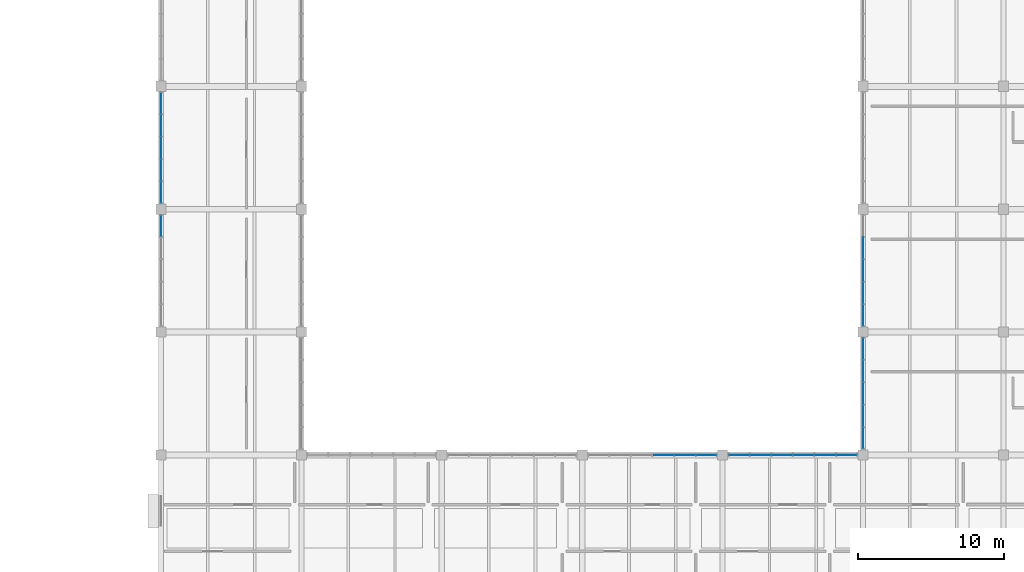
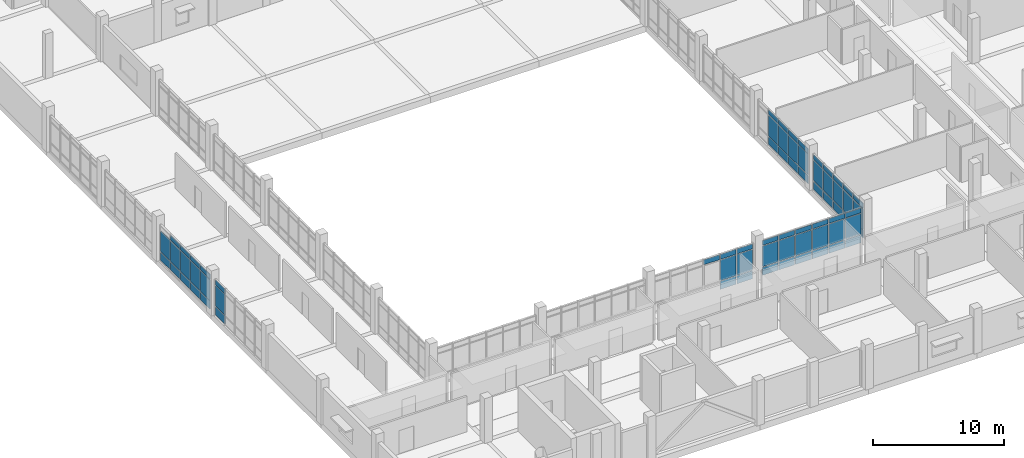
# One storey, part 27 of 57: 69 plates, 6 elements without a shape of their own.
"""IFC4 building model written with IfcOpenShell, lengths in metres."""

from ifc_helpers import new_model, si_unit, direction, frame, origin, origin_2d, place, context, subcontext, project, spatial, rectangle, extrude, material, layer, layer_set, type_object, element, aggregate, save


model = new_model("IFC4")

# Units and contexts
model_context = context("Model", 3, precision=1e-05, world=origin(), true_north=direction((0.0, 1.0)))
body_context = subcontext(model_context, "Body", "Model", "MODEL_VIEW")
ifc_project = project(units=[si_unit("LENGTHUNIT", "METRE"), si_unit("AREAUNIT", "SQUARE_METRE"), si_unit("VOLUMEUNIT", "CUBIC_METRE"), si_unit("PLANEANGLEUNIT", "RADIAN"), si_unit("MASSUNIT", "GRAM", prefix="KILO")], contexts=[model_context])

# Site, building, storey
site_placement = place(None, origin())
site = spatial("IfcSite", under=ifc_project, at=site_placement, CompositionType="ELEMENT")
building_placement = place(site_placement, origin())
building = spatial("IfcBuilding", under=site, at=building_placement, Name="Oolite Switchyard Hospital", CompositionType="ELEMENT")
storey_placement = place(building_placement, frame((0.0, 0.0, 17.800048828125)))
storey = spatial("IfcBuildingStorey", under=building, at=storey_placement, Name="L04", CompositionType="ELEMENT", Elevation=17.800048828125)

# Curtain wall, plates
ifc_material_1 = material(Name="Thermally broken aluminum frame with laminated impact glazing", Category="aluminium")
curtain_wall_type_1 = type_object("IfcCurtainWallType", Name="CW-UNIT-96X42", PredefinedType="USERDEFINED", material=ifc_material_1)
curtain_wall_1_placement = place(storey_placement, origin())
curtain_wall_1 = element("IfcCurtainWall", 1, at=curtain_wall_1_placement, inside=storey, type_object=curtain_wall_type_1, Name="L04 Unitised Curtain Wall 361", ObjectType="UNITISED", PredefinedType="USERDEFINED")
ifc_material_2 = material(Name="Insulated fluoropolymer-coated aluminum spandrel panel", Category="aluminium")
ifc_layer_1 = layer(ifc_material_2, 0.054931640625)
ifc_layer_set_1 = layer_set([ifc_layer_1], Name="CW-PNL-SPN55")
plate_type_1 = type_object("IfcPlateType", Name="CW-PNL-SPN55", PredefinedType="CURTAIN_PANEL", material=ifc_layer_set_1)
plate_1_placement = place(storey_placement, frame((173.9228515625, 25.199951171875, 0.07470703125), z_axis=(0.0, 0.0, 1.0), x_axis=(1.0, 0.0, 0.0)))
plate_1 = element("IfcPlate", 2, at=plate_1_placement, type_object=plate_type_1, Name="CW-05 panel 1.1", PredefinedType="CURTAIN_PANEL", context=body_context, shape_type="SweptSolid", body=[
    extrude(rectangle(XDim=1.36572265625, YDim=0.054931640625, at=origin_2d()), origin(), (0.0, 0.0, 1.0), 0.737548828125),
])
plate_2_placement = place(storey_placement, frame((173.9228515625, 25.199951171875, 0.887451171875), z_axis=(0.0, 0.0, 1.0), x_axis=(1.0, 0.0, 0.0)))
plate_2 = element("IfcPlate", 3, at=plate_2_placement, type_object=plate_type_1, Name="CW-05 panel 1.2", PredefinedType="CURTAIN_PANEL", context=body_context, shape_type="SweptSolid", body=[
    extrude(rectangle(XDim=1.36572265625, YDim=0.054931640625, at=origin_2d()), origin(), (0.0, 0.0, 1.0), 1.9150390625),
])
plate_3_placement = place(storey_placement, frame((173.9228515625, 25.199951171875, 2.87744140625), z_axis=(0.0, 0.0, 1.0), x_axis=(1.0, 0.0, 0.0)))
plate_3 = element("IfcPlate", 4, at=plate_3_placement, type_object=plate_type_1, Name="CW-05 panel 1.3", PredefinedType="CURTAIN_PANEL", context=body_context, shape_type="SweptSolid", body=[
    extrude(rectangle(XDim=1.36572265625, YDim=0.054931640625, at=origin_2d()), origin(), (0.0, 0.0, 1.0), 0.4375),
])
plate_4_placement = place(storey_placement, frame((175.382568359375, 25.199951171875, 0.07470703125), z_axis=(0.0, 0.0, 1.0), x_axis=(1.0, 0.0, 0.0)))
plate_4 = element("IfcPlate", 5, at=plate_4_placement, type_object=plate_type_1, Name="CW-05 panel 2.1", PredefinedType="CURTAIN_PANEL", context=body_context, shape_type="SweptSolid", body=[
    extrude(rectangle(XDim=1.4033203125, YDim=0.054931640625, at=origin_2d()), origin(), (0.0, 0.0, 1.0), 0.737548828125),
])
plate_5_placement = place(storey_placement, frame((175.382568359375, 25.199951171875, 0.887451171875), z_axis=(0.0, 0.0, 1.0), x_axis=(1.0, 0.0, 0.0)))
plate_5 = element("IfcPlate", 6, at=plate_5_placement, type_object=plate_type_1, Name="CW-05 panel 2.2", PredefinedType="CURTAIN_PANEL", context=body_context, shape_type="SweptSolid", body=[
    extrude(rectangle(XDim=1.4033203125, YDim=0.054931640625, at=origin_2d()), origin(), (0.0, 0.0, 1.0), 1.9150390625),
])
plate_6_placement = place(storey_placement, frame((175.382568359375, 25.199951171875, 2.87744140625), z_axis=(0.0, 0.0, 1.0), x_axis=(1.0, 0.0, 0.0)))
plate_6 = element("IfcPlate", 7, at=plate_6_placement, type_object=plate_type_1, Name="CW-05 panel 2.3", PredefinedType="CURTAIN_PANEL", context=body_context, shape_type="SweptSolid", body=[
    extrude(rectangle(XDim=1.4033203125, YDim=0.054931640625, at=origin_2d()), origin(), (0.0, 0.0, 1.0), 0.4375),
])
plate_7_placement = place(storey_placement, frame((176.86083984375, 25.199951171875, 0.07470703125), z_axis=(0.0, 0.0, 1.0), x_axis=(1.0, 0.0, 0.0)))
plate_7 = element("IfcPlate", 8, at=plate_7_placement, type_object=plate_type_1, Name="CW-05 panel 3.1", PredefinedType="CURTAIN_PANEL", context=body_context, shape_type="SweptSolid", body=[
    extrude(rectangle(XDim=1.4033203125, YDim=0.054931640625, at=origin_2d()), origin(), (0.0, 0.0, 1.0), 0.737548828125),
])
plate_8_placement = place(storey_placement, frame((176.86083984375, 25.199951171875, 0.887451171875), z_axis=(0.0, 0.0, 1.0), x_axis=(1.0, 0.0, 0.0)))
plate_8 = element("IfcPlate", 9, at=plate_8_placement, type_object=plate_type_1, Name="CW-05 panel 3.2", PredefinedType="CURTAIN_PANEL", context=body_context, shape_type="SweptSolid", body=[
    extrude(rectangle(XDim=1.4033203125, YDim=0.054931640625, at=origin_2d()), origin(), (0.0, 0.0, 1.0), 1.9150390625),
])
plate_9_placement = place(storey_placement, frame((176.86083984375, 25.199951171875, 2.87744140625), z_axis=(0.0, 0.0, 1.0), x_axis=(1.0, 0.0, 0.0)))
plate_9 = element("IfcPlate", 10, at=plate_9_placement, type_object=plate_type_1, Name="CW-05 panel 3.3", PredefinedType="CURTAIN_PANEL", context=body_context, shape_type="SweptSolid", body=[
    extrude(rectangle(XDim=1.4033203125, YDim=0.054931640625, at=origin_2d()), origin(), (0.0, 0.0, 1.0), 0.4375),
])
plate_10_placement = place(storey_placement, frame((178.339111328125, 25.199951171875, 0.07470703125), z_axis=(0.0, 0.0, 1.0), x_axis=(1.0, 0.0, 0.0)))
plate_10 = element("IfcPlate", 11, at=plate_10_placement, type_object=plate_type_1, Name="CW-05 panel 4.1", PredefinedType="CURTAIN_PANEL", context=body_context, shape_type="SweptSolid", body=[
    extrude(rectangle(XDim=1.4033203125, YDim=0.054931640625, at=origin_2d()), origin(), (0.0, 0.0, 1.0), 0.737548828125),
])
plate_11_placement = place(storey_placement, frame((178.339111328125, 25.199951171875, 0.887451171875), z_axis=(0.0, 0.0, 1.0), x_axis=(1.0, 0.0, 0.0)))
plate_11 = element("IfcPlate", 12, at=plate_11_placement, type_object=plate_type_1, Name="CW-05 panel 4.2", PredefinedType="CURTAIN_PANEL", context=body_context, shape_type="SweptSolid", body=[
    extrude(rectangle(XDim=1.4033203125, YDim=0.054931640625, at=origin_2d()), origin(), (0.0, 0.0, 1.0), 1.9150390625),
])
plate_12_placement = place(storey_placement, frame((178.339111328125, 25.199951171875, 2.87744140625), z_axis=(0.0, 0.0, 1.0), x_axis=(1.0, 0.0, 0.0)))
plate_12 = element("IfcPlate", 13, at=plate_12_placement, type_object=plate_type_1, Name="CW-05 panel 4.3", PredefinedType="CURTAIN_PANEL", context=body_context, shape_type="SweptSolid", body=[
    extrude(rectangle(XDim=1.4033203125, YDim=0.054931640625, at=origin_2d()), origin(), (0.0, 0.0, 1.0), 0.4375),
])
plate_13_placement = place(storey_placement, frame((179.8173828125, 25.199951171875, 0.07470703125), z_axis=(0.0, 0.0, 1.0), x_axis=(1.0, 0.0, 0.0)))
plate_13 = element("IfcPlate", 14, at=plate_13_placement, type_object=plate_type_1, Name="CW-05 panel 5.1", PredefinedType="CURTAIN_PANEL", context=body_context, shape_type="SweptSolid", body=[
    extrude(rectangle(XDim=1.4033203125, YDim=0.054931640625, at=origin_2d()), origin(), (0.0, 0.0, 1.0), 0.737548828125),
])
plate_14_placement = place(storey_placement, frame((179.8173828125, 25.199951171875, 0.887451171875), z_axis=(0.0, 0.0, 1.0), x_axis=(1.0, 0.0, 0.0)))
plate_14 = element("IfcPlate", 15, at=plate_14_placement, type_object=plate_type_1, Name="CW-05 panel 5.2", PredefinedType="CURTAIN_PANEL", context=body_context, shape_type="SweptSolid", body=[
    extrude(rectangle(XDim=1.4033203125, YDim=0.054931640625, at=origin_2d()), origin(), (0.0, 0.0, 1.0), 1.9150390625),
])
plate_15_placement = place(storey_placement, frame((179.8173828125, 25.199951171875, 2.87744140625), z_axis=(0.0, 0.0, 1.0), x_axis=(1.0, 0.0, 0.0)))
plate_15 = element("IfcPlate", 16, at=plate_15_placement, type_object=plate_type_1, Name="CW-05 panel 5.3", PredefinedType="CURTAIN_PANEL", context=body_context, shape_type="SweptSolid", body=[
    extrude(rectangle(XDim=1.4033203125, YDim=0.054931640625, at=origin_2d()), origin(), (0.0, 0.0, 1.0), 0.4375),
])
plate_16_placement = place(storey_placement, frame((181.277099609375, 25.199951171875, 0.07470703125), z_axis=(0.0, 0.0, 1.0), x_axis=(1.0, 0.0, 0.0)))
plate_16 = element("IfcPlate", 17, at=plate_16_placement, type_object=plate_type_1, Name="CW-05 panel 6.1", PredefinedType="CURTAIN_PANEL", context=body_context, shape_type="SweptSolid", body=[
    extrude(rectangle(XDim=1.36572265625, YDim=0.054931640625, at=origin_2d()), origin(), (0.0, 0.0, 1.0), 0.737548828125),
])
plate_17_placement = place(storey_placement, frame((181.277099609375, 25.199951171875, 0.887451171875), z_axis=(0.0, 0.0, 1.0), x_axis=(1.0, 0.0, 0.0)))
plate_17 = element("IfcPlate", 18, at=plate_17_placement, type_object=plate_type_1, Name="CW-05 panel 6.2", PredefinedType="CURTAIN_PANEL", context=body_context, shape_type="SweptSolid", body=[
    extrude(rectangle(XDim=1.36572265625, YDim=0.054931640625, at=origin_2d()), origin(), (0.0, 0.0, 1.0), 1.9150390625),
])
plate_18_placement = place(storey_placement, frame((181.277099609375, 25.199951171875, 2.87744140625), z_axis=(0.0, 0.0, 1.0), x_axis=(1.0, 0.0, 0.0)))
plate_18 = element("IfcPlate", 19, at=plate_18_placement, type_object=plate_type_1, Name="CW-05 panel 6.3", PredefinedType="CURTAIN_PANEL", context=body_context, shape_type="SweptSolid", body=[
    extrude(rectangle(XDim=1.36572265625, YDim=0.054931640625, at=origin_2d()), origin(), (0.0, 0.0, 1.0), 0.4375),
])
aggregate(curtain_wall_1, [plate_1, plate_2, plate_3, plate_4, plate_5, plate_6, plate_7, plate_8, plate_9, plate_10, plate_11, plate_12, plate_13, plate_14, plate_15, plate_16, plate_17, plate_18])

curtain_wall_type_2 = type_object("IfcCurtainWallType", Name="CW-UNIT-84X42", PredefinedType="USERDEFINED", material=ifc_material_1)
curtain_wall_2_placement = place(storey_placement, origin())
curtain_wall_2 = element("IfcCurtainWall", 20, at=curtain_wall_2_placement, inside=storey, type_object=curtain_wall_type_2, Name="L04 Unitised Curtain Wall 365", ObjectType="UNITISED", PredefinedType="USERDEFINED")
plate_19_placement = place(storey_placement, frame((134.39990234375, 43.14697265625, 0.07470703125), z_axis=(0.0, 0.0, 1.0), x_axis=(0.0, 1.0, 0.0)))
plate_19 = element("IfcPlate", 21, at=plate_19_placement, type_object=plate_type_1, Name="CW-10 panel 1.1", PredefinedType="CURTAIN_PANEL", context=body_context, shape_type="SweptSolid", body=[
    extrude(rectangle(XDim=1.444091796875, YDim=0.054931640625, at=origin_2d()), origin(), (0.0, 0.0, 1.0), 0.737548828125),
])
plate_20_placement = place(storey_placement, frame((134.39990234375, 43.14697265625, 0.887451171875), z_axis=(0.0, 0.0, 1.0), x_axis=(0.0, 1.0, 0.0)))
plate_20 = element("IfcPlate", 22, at=plate_20_placement, type_object=plate_type_1, Name="CW-10 panel 1.2", PredefinedType="CURTAIN_PANEL", context=body_context, shape_type="SweptSolid", body=[
    extrude(rectangle(XDim=1.444091796875, YDim=0.054931640625, at=origin_2d()), origin(), (0.0, 0.0, 1.0), 1.9150390625),
])
plate_21_placement = place(storey_placement, frame((134.39990234375, 43.14697265625, 2.87744140625), z_axis=(0.0, 0.0, 1.0), x_axis=(0.0, 1.0, 0.0)))
plate_21 = element("IfcPlate", 23, at=plate_21_placement, type_object=plate_type_1, Name="CW-10 panel 1.3", PredefinedType="CURTAIN_PANEL", context=body_context, shape_type="SweptSolid", body=[
    extrude(rectangle(XDim=1.444091796875, YDim=0.054931640625, at=origin_2d()), origin(), (0.0, 0.0, 1.0), 0.4375),
])
plate_22_placement = place(storey_placement, frame((134.39990234375, 44.666015625, 0.07470703125), z_axis=(0.0, 0.0, 1.0), x_axis=(0.0, 1.0, 0.0)))
plate_22 = element("IfcPlate", 24, at=plate_22_placement, type_object=plate_type_1, Name="CW-10 panel 2.1", PredefinedType="CURTAIN_PANEL", context=body_context, shape_type="SweptSolid", body=[
    extrude(rectangle(XDim=1.47412109375, YDim=0.054931640625, at=origin_2d()), origin(), (0.0, 0.0, 1.0), 0.737548828125),
])
plate_23_placement = place(storey_placement, frame((134.39990234375, 44.666015625, 0.887451171875), z_axis=(0.0, 0.0, 1.0), x_axis=(0.0, 1.0, 0.0)))
plate_23 = element("IfcPlate", 25, at=plate_23_placement, type_object=plate_type_1, Name="CW-10 panel 2.2", PredefinedType="CURTAIN_PANEL", context=body_context, shape_type="SweptSolid", body=[
    extrude(rectangle(XDim=1.47412109375, YDim=0.054931640625, at=origin_2d()), origin(), (0.0, 0.0, 1.0), 1.9150390625),
])
plate_24_placement = place(storey_placement, frame((134.39990234375, 44.666015625, 2.87744140625), z_axis=(0.0, 0.0, 1.0), x_axis=(0.0, 1.0, 0.0)))
plate_24 = element("IfcPlate", 26, at=plate_24_placement, type_object=plate_type_1, Name="CW-10 panel 2.3", PredefinedType="CURTAIN_PANEL", context=body_context, shape_type="SweptSolid", body=[
    extrude(rectangle(XDim=1.47412109375, YDim=0.054931640625, at=origin_2d()), origin(), (0.0, 0.0, 1.0), 0.4375),
])
plate_25_placement = place(storey_placement, frame((134.39990234375, 46.199951171875, 0.07470703125), z_axis=(0.0, 0.0, 1.0), x_axis=(0.0, 1.0, 0.0)))
plate_25 = element("IfcPlate", 27, at=plate_25_placement, type_object=plate_type_1, Name="CW-10 panel 3.1", PredefinedType="CURTAIN_PANEL", context=body_context, shape_type="SweptSolid", body=[
    extrude(rectangle(XDim=1.47412109375, YDim=0.054931640625, at=origin_2d()), origin(), (0.0, 0.0, 1.0), 0.737548828125),
])
plate_26_placement = place(storey_placement, frame((134.39990234375, 46.199951171875, 0.887451171875), z_axis=(0.0, 0.0, 1.0), x_axis=(0.0, 1.0, 0.0)))
plate_26 = element("IfcPlate", 28, at=plate_26_placement, type_object=plate_type_1, Name="CW-10 panel 3.2", PredefinedType="CURTAIN_PANEL", context=body_context, shape_type="SweptSolid", body=[
    extrude(rectangle(XDim=1.47412109375, YDim=0.054931640625, at=origin_2d()), origin(), (0.0, 0.0, 1.0), 1.9150390625),
])
plate_27_placement = place(storey_placement, frame((134.39990234375, 46.199951171875, 2.87744140625), z_axis=(0.0, 0.0, 1.0), x_axis=(0.0, 1.0, 0.0)))
plate_27 = element("IfcPlate", 29, at=plate_27_placement, type_object=plate_type_1, Name="CW-10 panel 3.3", PredefinedType="CURTAIN_PANEL", context=body_context, shape_type="SweptSolid", body=[
    extrude(rectangle(XDim=1.47412109375, YDim=0.054931640625, at=origin_2d()), origin(), (0.0, 0.0, 1.0), 0.4375),
])
plate_28_placement = place(storey_placement, frame((134.39990234375, 47.73388671875, 0.07470703125), z_axis=(0.0, 0.0, 1.0), x_axis=(0.0, 1.0, 0.0)))
plate_28 = element("IfcPlate", 30, at=plate_28_placement, type_object=plate_type_1, Name="CW-10 panel 4.1", PredefinedType="CURTAIN_PANEL", context=body_context, shape_type="SweptSolid", body=[
    extrude(rectangle(XDim=1.47412109375, YDim=0.054931640625, at=origin_2d()), origin(), (0.0, 0.0, 1.0), 0.737548828125),
])
plate_29_placement = place(storey_placement, frame((134.39990234375, 47.73388671875, 0.887451171875), z_axis=(0.0, 0.0, 1.0), x_axis=(0.0, 1.0, 0.0)))
plate_29 = element("IfcPlate", 31, at=plate_29_placement, type_object=plate_type_1, Name="CW-10 panel 4.2", PredefinedType="CURTAIN_PANEL", context=body_context, shape_type="SweptSolid", body=[
    extrude(rectangle(XDim=1.47412109375, YDim=0.054931640625, at=origin_2d()), origin(), (0.0, 0.0, 1.0), 1.9150390625),
])
plate_30_placement = place(storey_placement, frame((134.39990234375, 47.73388671875, 2.87744140625), z_axis=(0.0, 0.0, 1.0), x_axis=(0.0, 1.0, 0.0)))
plate_30 = element("IfcPlate", 32, at=plate_30_placement, type_object=plate_type_1, Name="CW-10 panel 4.3", PredefinedType="CURTAIN_PANEL", context=body_context, shape_type="SweptSolid", body=[
    extrude(rectangle(XDim=1.47412109375, YDim=0.054931640625, at=origin_2d()), origin(), (0.0, 0.0, 1.0), 0.4375),
])
plate_31_placement = place(storey_placement, frame((134.39990234375, 49.2529296875, 0.07470703125), z_axis=(0.0, 0.0, 1.0), x_axis=(0.0, 1.0, 0.0)))
plate_31 = element("IfcPlate", 33, at=plate_31_placement, type_object=plate_type_1, Name="CW-10 panel 5.1", PredefinedType="CURTAIN_PANEL", context=body_context, shape_type="SweptSolid", body=[
    extrude(rectangle(XDim=1.444091796875, YDim=0.054931640625, at=origin_2d()), origin(), (0.0, 0.0, 1.0), 0.737548828125),
])
plate_32_placement = place(storey_placement, frame((134.39990234375, 49.2529296875, 0.887451171875), z_axis=(0.0, 0.0, 1.0), x_axis=(0.0, 1.0, 0.0)))
plate_32 = element("IfcPlate", 34, at=plate_32_placement, type_object=plate_type_1, Name="CW-10 panel 5.2", PredefinedType="CURTAIN_PANEL", context=body_context, shape_type="SweptSolid", body=[
    extrude(rectangle(XDim=1.444091796875, YDim=0.054931640625, at=origin_2d()), origin(), (0.0, 0.0, 1.0), 1.9150390625),
])
aggregate(curtain_wall_2, [plate_19, plate_20, plate_21, plate_22, plate_23, plate_24, plate_25, plate_26, plate_27, plate_28, plate_29, plate_30, plate_31, plate_32])

curtain_wall_3_placement = place(storey_placement, origin())
curtain_wall_3 = element("IfcCurtainWall", 35, at=curtain_wall_3_placement, inside=storey, type_object=curtain_wall_type_2, Name="L04 Unitised Curtain Wall 373", ObjectType="UNITISED", PredefinedType="USERDEFINED")
plate_33_placement = place(storey_placement, frame((182.39990234375, 26.350830078125, 0.07470703125), z_axis=(0.0, 0.0, 1.0), x_axis=(0.0, 1.0, 0.0)))
plate_33 = element("IfcPlate", 36, at=plate_33_placement, type_object=plate_type_1, Name="CW-10 panel 1.1", PredefinedType="CURTAIN_PANEL", context=body_context, shape_type="SweptSolid", body=[
    extrude(rectangle(XDim=1.42138671875, YDim=0.054931640625, at=origin_2d()), origin(), (0.0, 0.0, 1.0), 0.737548828125),
])
plate_34_placement = place(storey_placement, frame((182.39990234375, 26.350830078125, 0.887451171875), z_axis=(0.0, 0.0, 1.0), x_axis=(0.0, 1.0, 0.0)))
plate_34 = element("IfcPlate", 37, at=plate_34_placement, type_object=plate_type_1, Name="CW-10 panel 1.2", PredefinedType="CURTAIN_PANEL", context=body_context, shape_type="SweptSolid", body=[
    extrude(rectangle(XDim=1.42138671875, YDim=0.054931640625, at=origin_2d()), origin(), (0.0, 0.0, 1.0), 1.9150390625),
])
plate_35_placement = place(storey_placement, frame((182.39990234375, 26.350830078125, 2.87744140625), z_axis=(0.0, 0.0, 1.0), x_axis=(0.0, 1.0, 0.0)))
plate_35 = element("IfcPlate", 38, at=plate_35_placement, type_object=plate_type_1, Name="CW-10 panel 1.3", PredefinedType="CURTAIN_PANEL", context=body_context, shape_type="SweptSolid", body=[
    extrude(rectangle(XDim=1.42138671875, YDim=0.054931640625, at=origin_2d()), origin(), (0.0, 0.0, 1.0), 0.4375),
])
plate_36_placement = place(storey_placement, frame((182.39990234375, 27.865966796875, 0.07470703125), z_axis=(0.0, 0.0, 1.0), x_axis=(0.0, 1.0, 0.0)))
plate_36 = element("IfcPlate", 39, at=plate_36_placement, type_object=plate_type_1, Name="CW-10 panel 2.1", PredefinedType="CURTAIN_PANEL", context=body_context, shape_type="SweptSolid", body=[
    extrude(rectangle(XDim=1.458984375, YDim=0.054931640625, at=origin_2d()), origin(), (0.0, 0.0, 1.0), 0.737548828125),
])
plate_37_placement = place(storey_placement, frame((182.39990234375, 27.865966796875, 0.887451171875), z_axis=(0.0, 0.0, 1.0), x_axis=(0.0, 1.0, 0.0)))
plate_37 = element("IfcPlate", 40, at=plate_37_placement, type_object=plate_type_1, Name="CW-10 panel 2.2", PredefinedType="CURTAIN_PANEL", context=body_context, shape_type="SweptSolid", body=[
    extrude(rectangle(XDim=1.458984375, YDim=0.054931640625, at=origin_2d()), origin(), (0.0, 0.0, 1.0), 1.9150390625),
])
plate_38_placement = place(storey_placement, frame((182.39990234375, 27.865966796875, 2.87744140625), z_axis=(0.0, 0.0, 1.0), x_axis=(0.0, 1.0, 0.0)))
plate_38 = element("IfcPlate", 41, at=plate_38_placement, type_object=plate_type_1, Name="CW-10 panel 2.3", PredefinedType="CURTAIN_PANEL", context=body_context, shape_type="SweptSolid", body=[
    extrude(rectangle(XDim=1.458984375, YDim=0.054931640625, at=origin_2d()), origin(), (0.0, 0.0, 1.0), 0.4375),
])
plate_39_placement = place(storey_placement, frame((182.39990234375, 29.39990234375, 0.07470703125), z_axis=(0.0, 0.0, 1.0), x_axis=(0.0, 1.0, 0.0)))
plate_39 = element("IfcPlate", 42, at=plate_39_placement, type_object=plate_type_1, Name="CW-10 panel 3.1", PredefinedType="CURTAIN_PANEL", context=body_context, shape_type="SweptSolid", body=[
    extrude(rectangle(XDim=1.458984375, YDim=0.054931640625, at=origin_2d()), origin(), (0.0, 0.0, 1.0), 0.737548828125),
])
plate_40_placement = place(storey_placement, frame((182.39990234375, 29.39990234375, 0.887451171875), z_axis=(0.0, 0.0, 1.0), x_axis=(0.0, 1.0, 0.0)))
plate_40 = element("IfcPlate", 43, at=plate_40_placement, type_object=plate_type_1, Name="CW-10 panel 3.2", PredefinedType="CURTAIN_PANEL", context=body_context, shape_type="SweptSolid", body=[
    extrude(rectangle(XDim=1.458984375, YDim=0.054931640625, at=origin_2d()), origin(), (0.0, 0.0, 1.0), 1.9150390625),
])
plate_41_placement = place(storey_placement, frame((182.39990234375, 29.39990234375, 2.87744140625), z_axis=(0.0, 0.0, 1.0), x_axis=(0.0, 1.0, 0.0)))
plate_41 = element("IfcPlate", 44, at=plate_41_placement, type_object=plate_type_1, Name="CW-10 panel 3.3", PredefinedType="CURTAIN_PANEL", context=body_context, shape_type="SweptSolid", body=[
    extrude(rectangle(XDim=1.458984375, YDim=0.054931640625, at=origin_2d()), origin(), (0.0, 0.0, 1.0), 0.4375),
])
plate_42_placement = place(storey_placement, frame((182.39990234375, 30.93408203125, 0.07470703125), z_axis=(0.0, 0.0, 1.0), x_axis=(0.0, 1.0, 0.0)))
plate_42 = element("IfcPlate", 45, at=plate_42_placement, type_object=plate_type_1, Name="CW-10 panel 4.1", PredefinedType="CURTAIN_PANEL", context=body_context, shape_type="SweptSolid", body=[
    extrude(rectangle(XDim=1.458984375, YDim=0.054931640625, at=origin_2d()), origin(), (0.0, 0.0, 1.0), 0.737548828125),
])
plate_43_placement = place(storey_placement, frame((182.39990234375, 30.93408203125, 0.887451171875), z_axis=(0.0, 0.0, 1.0), x_axis=(0.0, 1.0, 0.0)))
plate_43 = element("IfcPlate", 46, at=plate_43_placement, type_object=plate_type_1, Name="CW-10 panel 4.2", PredefinedType="CURTAIN_PANEL", context=body_context, shape_type="SweptSolid", body=[
    extrude(rectangle(XDim=1.458984375, YDim=0.054931640625, at=origin_2d()), origin(), (0.0, 0.0, 1.0), 1.9150390625),
])
plate_44_placement = place(storey_placement, frame((182.39990234375, 30.93408203125, 2.87744140625), z_axis=(0.0, 0.0, 1.0), x_axis=(0.0, 1.0, 0.0)))
plate_44 = element("IfcPlate", 47, at=plate_44_placement, type_object=plate_type_1, Name="CW-10 panel 4.3", PredefinedType="CURTAIN_PANEL", context=body_context, shape_type="SweptSolid", body=[
    extrude(rectangle(XDim=1.458984375, YDim=0.054931640625, at=origin_2d()), origin(), (0.0, 0.0, 1.0), 0.4375),
])
plate_45_placement = place(storey_placement, frame((182.39990234375, 32.44921875, 0.07470703125), z_axis=(0.0, 0.0, 1.0), x_axis=(0.0, 1.0, 0.0)))
plate_45 = element("IfcPlate", 48, at=plate_45_placement, type_object=plate_type_1, Name="CW-10 panel 5.1", PredefinedType="CURTAIN_PANEL", context=body_context, shape_type="SweptSolid", body=[
    extrude(rectangle(XDim=1.42138671875, YDim=0.054931640625, at=origin_2d()), origin(), (0.0, 0.0, 1.0), 0.737548828125),
])
plate_46_placement = place(storey_placement, frame((182.39990234375, 32.44921875, 0.887451171875), z_axis=(0.0, 0.0, 1.0), x_axis=(0.0, 1.0, 0.0)))
plate_46 = element("IfcPlate", 49, at=plate_46_placement, type_object=plate_type_1, Name="CW-10 panel 5.2", PredefinedType="CURTAIN_PANEL", context=body_context, shape_type="SweptSolid", body=[
    extrude(rectangle(XDim=1.42138671875, YDim=0.054931640625, at=origin_2d()), origin(), (0.0, 0.0, 1.0), 1.9150390625),
])
plate_47_placement = place(storey_placement, frame((182.39990234375, 32.44921875, 2.87744140625), z_axis=(0.0, 0.0, 1.0), x_axis=(0.0, 1.0, 0.0)))
plate_47 = element("IfcPlate", 50, at=plate_47_placement, type_object=plate_type_1, Name="CW-10 panel 5.3", PredefinedType="CURTAIN_PANEL", context=body_context, shape_type="SweptSolid", body=[
    extrude(rectangle(XDim=1.42138671875, YDim=0.054931640625, at=origin_2d()), origin(), (0.0, 0.0, 1.0), 0.4375),
])
aggregate(curtain_wall_3, [plate_33, plate_34, plate_35, plate_36, plate_37, plate_38, plate_39, plate_40, plate_41, plate_42, plate_43, plate_44, plate_45, plate_46, plate_47])

curtain_wall_4_placement = place(storey_placement, origin())
curtain_wall_4 = element("IfcCurtainWall", 51, at=curtain_wall_4_placement, inside=storey, type_object=curtain_wall_type_2, Name="L04 Unitised Curtain Wall 374", ObjectType="UNITISED", PredefinedType="USERDEFINED")
ifc_material_3 = material(Name="Laminated hurricane-impact insulated glazing unit", Category="glass")
ifc_layer_2 = layer(ifc_material_3, 0.028076171875)
ifc_layer_set_2 = layer_set([ifc_layer_2], Name="CW-PNL-VIS28")
plate_type_2 = type_object("IfcPlateType", Name="CW-PNL-VIS28", PredefinedType="CURTAIN_PANEL", material=ifc_layer_set_2)
plate_48_placement = place(storey_placement, frame((182.39990234375, 34.7470703125, 0.06005859375), z_axis=(0.0, 0.0, 1.0), x_axis=(0.0, 1.0, 0.0)))
plate_48 = element("IfcPlate", 52, at=plate_48_placement, type_object=plate_type_2, Name="CW-10 panel 1.1", PredefinedType="CURTAIN_PANEL", context=body_context, shape_type="SweptSolid", body=[
    extrude(rectangle(XDim=1.444091796875, YDim=0.028076171875, at=origin_2d()), origin(), (0.0, 0.0, 1.0), 0.760009765625),
])
plate_49_placement = place(storey_placement, frame((182.39990234375, 34.7470703125, 0.8798828125), z_axis=(0.0, 0.0, 1.0), x_axis=(0.0, 1.0, 0.0)))
plate_49 = element("IfcPlate", 53, at=plate_49_placement, type_object=plate_type_2, Name="CW-10 panel 1.2", PredefinedType="CURTAIN_PANEL", context=body_context, shape_type="SweptSolid", body=[
    extrude(rectangle(XDim=1.444091796875, YDim=0.028076171875, at=origin_2d()), origin(), (0.0, 0.0, 1.0), 1.929931640625),
])
plate_50_placement = place(storey_placement, frame((182.39990234375, 34.7470703125, 2.869873046875), z_axis=(0.0, 0.0, 1.0), x_axis=(0.0, 1.0, 0.0)))
plate_50 = element("IfcPlate", 54, at=plate_50_placement, type_object=plate_type_2, Name="CW-10 panel 1.3", PredefinedType="CURTAIN_PANEL", context=body_context, shape_type="SweptSolid", body=[
    extrude(rectangle(XDim=1.444091796875, YDim=0.028076171875, at=origin_2d()), origin(), (0.0, 0.0, 1.0), 0.4599609375),
])
plate_51_placement = place(storey_placement, frame((182.39990234375, 36.26611328125, 0.06005859375), z_axis=(0.0, 0.0, 1.0), x_axis=(0.0, 1.0, 0.0)))
plate_51 = element("IfcPlate", 55, at=plate_51_placement, type_object=plate_type_2, Name="CW-10 panel 2.1", PredefinedType="CURTAIN_PANEL", context=body_context, shape_type="SweptSolid", body=[
    extrude(rectangle(XDim=1.47412109375, YDim=0.028076171875, at=origin_2d()), origin(), (0.0, 0.0, 1.0), 0.760009765625),
])
plate_52_placement = place(storey_placement, frame((182.39990234375, 36.26611328125, 0.8798828125), z_axis=(0.0, 0.0, 1.0), x_axis=(0.0, 1.0, 0.0)))
plate_52 = element("IfcPlate", 56, at=plate_52_placement, type_object=plate_type_2, Name="CW-10 panel 2.2", PredefinedType="CURTAIN_PANEL", context=body_context, shape_type="SweptSolid", body=[
    extrude(rectangle(XDim=1.47412109375, YDim=0.028076171875, at=origin_2d()), origin(), (0.0, 0.0, 1.0), 1.929931640625),
])
plate_53_placement = place(storey_placement, frame((182.39990234375, 36.26611328125, 2.869873046875), z_axis=(0.0, 0.0, 1.0), x_axis=(0.0, 1.0, 0.0)))
plate_53 = element("IfcPlate", 57, at=plate_53_placement, type_object=plate_type_2, Name="CW-10 panel 2.3", PredefinedType="CURTAIN_PANEL", context=body_context, shape_type="SweptSolid", body=[
    extrude(rectangle(XDim=1.47412109375, YDim=0.028076171875, at=origin_2d()), origin(), (0.0, 0.0, 1.0), 0.4599609375),
])
plate_54_placement = place(storey_placement, frame((182.39990234375, 37.800048828125, 0.06005859375), z_axis=(0.0, 0.0, 1.0), x_axis=(0.0, 1.0, 0.0)))
plate_54 = element("IfcPlate", 58, at=plate_54_placement, type_object=plate_type_2, Name="CW-10 panel 3.1", PredefinedType="CURTAIN_PANEL", context=body_context, shape_type="SweptSolid", body=[
    extrude(rectangle(XDim=1.47412109375, YDim=0.028076171875, at=origin_2d()), origin(), (0.0, 0.0, 1.0), 0.760009765625),
])
plate_55_placement = place(storey_placement, frame((182.39990234375, 37.800048828125, 0.8798828125), z_axis=(0.0, 0.0, 1.0), x_axis=(0.0, 1.0, 0.0)))
plate_55 = element("IfcPlate", 59, at=plate_55_placement, type_object=plate_type_2, Name="CW-10 panel 3.2", PredefinedType="CURTAIN_PANEL", context=body_context, shape_type="SweptSolid", body=[
    extrude(rectangle(XDim=1.47412109375, YDim=0.028076171875, at=origin_2d()), origin(), (0.0, 0.0, 1.0), 1.929931640625),
])
plate_56_placement = place(storey_placement, frame((182.39990234375, 37.800048828125, 2.869873046875), z_axis=(0.0, 0.0, 1.0), x_axis=(0.0, 1.0, 0.0)))
plate_56 = element("IfcPlate", 60, at=plate_56_placement, type_object=plate_type_2, Name="CW-10 panel 3.3", PredefinedType="CURTAIN_PANEL", context=body_context, shape_type="SweptSolid", body=[
    extrude(rectangle(XDim=1.47412109375, YDim=0.028076171875, at=origin_2d()), origin(), (0.0, 0.0, 1.0), 0.4599609375),
])
plate_57_placement = place(storey_placement, frame((182.39990234375, 39.333984375, 0.06005859375), z_axis=(0.0, 0.0, 1.0), x_axis=(0.0, 1.0, 0.0)))
plate_57 = element("IfcPlate", 61, at=plate_57_placement, type_object=plate_type_2, Name="CW-10 panel 4.1", PredefinedType="CURTAIN_PANEL", context=body_context, shape_type="SweptSolid", body=[
    extrude(rectangle(XDim=1.47412109375, YDim=0.028076171875, at=origin_2d()), origin(), (0.0, 0.0, 1.0), 0.760009765625),
])
plate_58_placement = place(storey_placement, frame((182.39990234375, 39.333984375, 0.8798828125), z_axis=(0.0, 0.0, 1.0), x_axis=(0.0, 1.0, 0.0)))
plate_58 = element("IfcPlate", 62, at=plate_58_placement, type_object=plate_type_2, Name="CW-10 panel 4.2", PredefinedType="CURTAIN_PANEL", context=body_context, shape_type="SweptSolid", body=[
    extrude(rectangle(XDim=1.47412109375, YDim=0.028076171875, at=origin_2d()), origin(), (0.0, 0.0, 1.0), 1.929931640625),
])
plate_59_placement = place(storey_placement, frame((182.39990234375, 39.333984375, 2.869873046875), z_axis=(0.0, 0.0, 1.0), x_axis=(0.0, 1.0, 0.0)))
plate_59 = element("IfcPlate", 63, at=plate_59_placement, type_object=plate_type_2, Name="CW-10 panel 4.3", PredefinedType="CURTAIN_PANEL", context=body_context, shape_type="SweptSolid", body=[
    extrude(rectangle(XDim=1.47412109375, YDim=0.028076171875, at=origin_2d()), origin(), (0.0, 0.0, 1.0), 0.4599609375),
])
aggregate(curtain_wall_4, [plate_48, plate_49, plate_50, plate_51, plate_52, plate_53, plate_54, plate_55, plate_56, plate_57, plate_58, plate_59])

curtain_wall_5_placement = place(storey_placement, origin())
curtain_wall_5 = element("IfcCurtainWall", 64, at=curtain_wall_5_placement, inside=storey, type_object=curtain_wall_type_1, Name="L04 Unitised Curtain Wall 360", ObjectType="UNITISED", PredefinedType="USERDEFINED")
ifc_layer_3 = layer(ifc_material_3, 0.035888671875)
ifc_layer_set_3 = layer_set([ifc_layer_3], Name="CW-PNL-VIS36")
plate_type_3 = type_object("IfcPlateType", Name="CW-PNL-VIS36", PredefinedType="CURTAIN_PANEL", material=ifc_layer_set_3)
plate_60_placement = place(storey_placement, frame((168.7392578125, 25.199951171875, 2.869873046875), z_axis=(0.0, 0.0, 1.0), x_axis=(1.0, 0.0, 0.0)))
plate_60 = element("IfcPlate", 65, at=plate_60_placement, type_object=plate_type_3, Name="CW-05 panel 4.3", PredefinedType="CURTAIN_PANEL", context=body_context, shape_type="SweptSolid", body=[
    extrude(rectangle(XDim=1.408447265625, YDim=0.035888671875, at=origin_2d()), origin(), (0.0, 0.0, 1.0), 0.4599609375),
])
plate_61_placement = place(storey_placement, frame((170.217529296875, 25.199951171875, 0.06005859375), z_axis=(0.0, 0.0, 1.0), x_axis=(1.0, 0.0, 0.0)))
plate_61 = element("IfcPlate", 66, at=plate_61_placement, type_object=plate_type_3, Name="CW-05 panel 5.1", PredefinedType="CURTAIN_PANEL", context=body_context, shape_type="SweptSolid", body=[
    extrude(rectangle(XDim=1.408447265625, YDim=0.035888671875, at=origin_2d()), origin(), (0.0, 0.0, 1.0), 0.760009765625),
])
plate_62_placement = place(storey_placement, frame((170.217529296875, 25.199951171875, 0.8798828125), z_axis=(0.0, 0.0, 1.0), x_axis=(1.0, 0.0, 0.0)))
plate_62 = element("IfcPlate", 67, at=plate_62_placement, type_object=plate_type_3, Name="CW-05 panel 5.2", PredefinedType="CURTAIN_PANEL", context=body_context, shape_type="SweptSolid", body=[
    extrude(rectangle(XDim=1.408447265625, YDim=0.035888671875, at=origin_2d()), origin(), (0.0, 0.0, 1.0), 1.929931640625),
])
plate_63_placement = place(storey_placement, frame((170.217529296875, 25.199951171875, 2.869873046875), z_axis=(0.0, 0.0, 1.0), x_axis=(1.0, 0.0, 0.0)))
plate_63 = element("IfcPlate", 68, at=plate_63_placement, type_object=plate_type_3, Name="CW-05 panel 5.3", PredefinedType="CURTAIN_PANEL", context=body_context, shape_type="SweptSolid", body=[
    extrude(rectangle(XDim=1.408447265625, YDim=0.035888671875, at=origin_2d()), origin(), (0.0, 0.0, 1.0), 0.4599609375),
])
plate_64_placement = place(storey_placement, frame((171.67822265625, 25.199951171875, 0.06005859375), z_axis=(0.0, 0.0, 1.0), x_axis=(1.0, 0.0, 0.0)))
plate_64 = element("IfcPlate", 69, at=plate_64_placement, type_object=plate_type_3, Name="CW-05 panel 6.1", PredefinedType="CURTAIN_PANEL", context=body_context, shape_type="SweptSolid", body=[
    extrude(rectangle(XDim=1.373291015625, YDim=0.035888671875, at=origin_2d()), origin(), (0.0, 0.0, 1.0), 0.760009765625),
])
plate_65_placement = place(storey_placement, frame((171.67822265625, 25.199951171875, 0.8798828125), z_axis=(0.0, 0.0, 1.0), x_axis=(1.0, 0.0, 0.0)))
plate_65 = element("IfcPlate", 70, at=plate_65_placement, type_object=plate_type_3, Name="CW-05 panel 6.2", PredefinedType="CURTAIN_PANEL", context=body_context, shape_type="SweptSolid", body=[
    extrude(rectangle(XDim=1.373291015625, YDim=0.035888671875, at=origin_2d()), origin(), (0.0, 0.0, 1.0), 1.929931640625),
])
plate_66_placement = place(storey_placement, frame((171.67822265625, 25.199951171875, 2.869873046875), z_axis=(0.0, 0.0, 1.0), x_axis=(1.0, 0.0, 0.0)))
plate_66 = element("IfcPlate", 71, at=plate_66_placement, type_object=plate_type_3, Name="CW-05 panel 6.3", PredefinedType="CURTAIN_PANEL", context=body_context, shape_type="SweptSolid", body=[
    extrude(rectangle(XDim=1.373291015625, YDim=0.035888671875, at=origin_2d()), origin(), (0.0, 0.0, 1.0), 0.4599609375),
])
aggregate(curtain_wall_5, [plate_60, plate_61, plate_62, plate_63, plate_64, plate_65, plate_66])

curtain_wall_6_placement = place(storey_placement, origin())
curtain_wall_6 = element("IfcCurtainWall", 72, at=curtain_wall_6_placement, inside=storey, type_object=curtain_wall_type_2, Name="L04 Unitised Curtain Wall 364", ObjectType="UNITISED", PredefinedType="USERDEFINED")
ifc_layer_4 = layer(ifc_material_3, 0.0419921875)
ifc_layer_set_4 = layer_set([ifc_layer_4], Name="CW-PNL-VIS42")
plate_type_4 = type_object("IfcPlateType", Name="CW-PNL-VIS42", PredefinedType="CURTAIN_PANEL", material=ifc_layer_set_4)
plate_67_placement = place(storey_placement, frame((134.39990234375, 40.849365234375, 0.06005859375), z_axis=(0.0, 0.0, 1.0), x_axis=(0.0, 1.0, 0.0)))
plate_67 = element("IfcPlate", 73, at=plate_67_placement, type_object=plate_type_4, Name="CW-10 panel 5.1", PredefinedType="CURTAIN_PANEL", context=body_context, shape_type="SweptSolid", body=[
    extrude(rectangle(XDim=1.42138671875, YDim=0.0419921875, at=origin_2d()), origin(), (0.0, 0.0, 1.0), 0.760009765625),
])
plate_68_placement = place(storey_placement, frame((134.39990234375, 40.849365234375, 0.8798828125), z_axis=(0.0, 0.0, 1.0), x_axis=(0.0, 1.0, 0.0)))
plate_68 = element("IfcPlate", 74, at=plate_68_placement, type_object=plate_type_4, Name="CW-10 panel 5.2", PredefinedType="CURTAIN_PANEL", context=body_context, shape_type="SweptSolid", body=[
    extrude(rectangle(XDim=1.42138671875, YDim=0.0419921875, at=origin_2d()), origin(), (0.0, 0.0, 1.0), 1.929931640625),
])
plate_69_placement = place(storey_placement, frame((134.39990234375, 40.849365234375, 2.869873046875), z_axis=(0.0, 0.0, 1.0), x_axis=(0.0, 1.0, 0.0)))
plate_69 = element("IfcPlate", 75, at=plate_69_placement, type_object=plate_type_4, Name="CW-10 panel 5.3", PredefinedType="CURTAIN_PANEL", context=body_context, shape_type="SweptSolid", body=[
    extrude(rectangle(XDim=1.42138671875, YDim=0.0419921875, at=origin_2d()), origin(), (0.0, 0.0, 1.0), 0.4599609375),
])
aggregate(curtain_wall_6, [plate_67, plate_68, plate_69])

save(model, "model.ifc")
